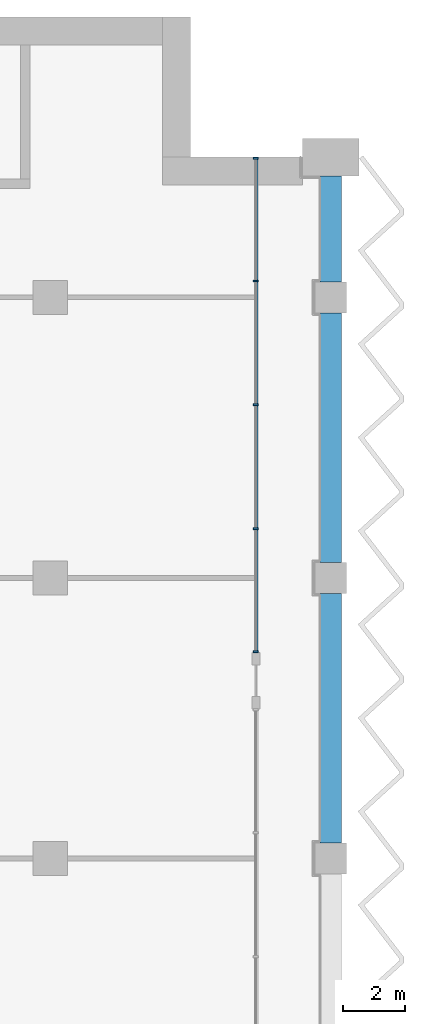
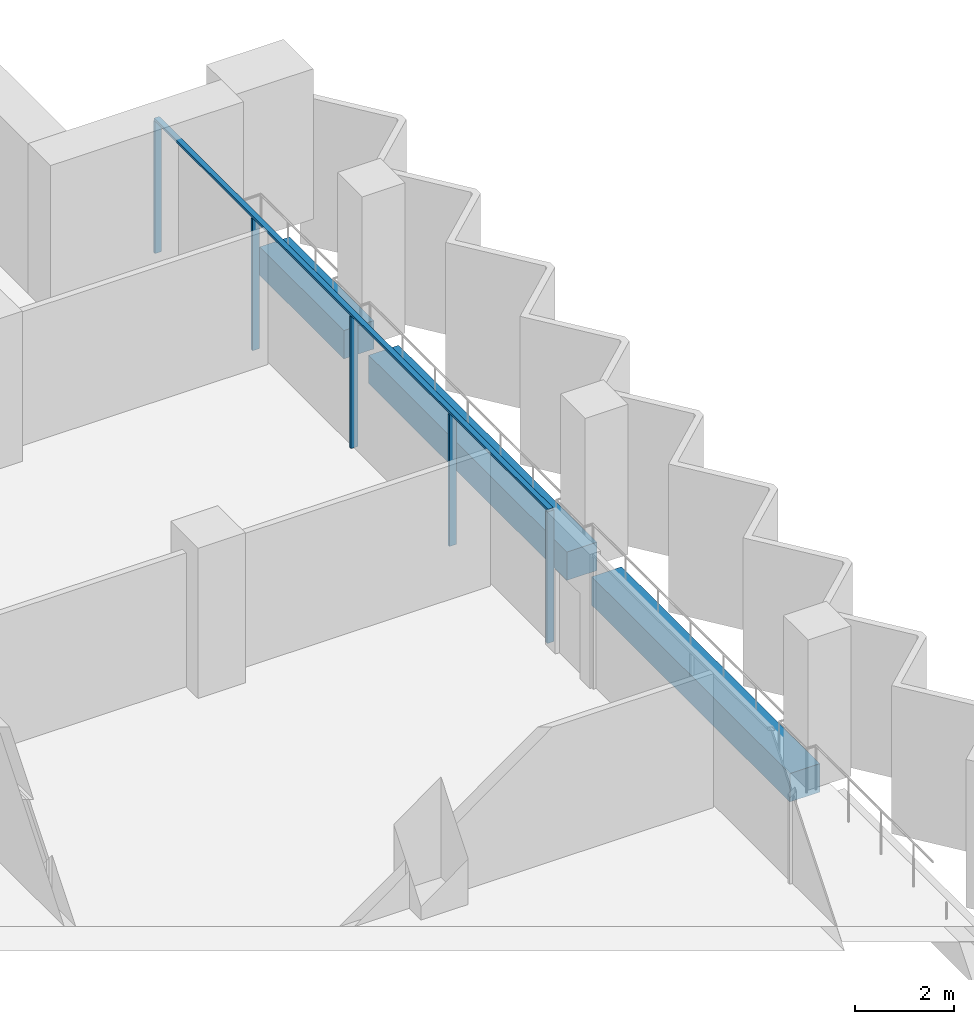
# One storey, part 5 of 17: 6 members, 3 beams, 1 element without a shape of its own.
"""IFC4 building model written with IfcOpenShell, lengths in metres."""

from ifc_helpers import new_model, si_unit, direction, frame, origin, origin_2d, place, context, subcontext, project, spatial, rectangle, extrude, material, material_profile, profile_set, type_object, element, aggregate, save


model = new_model("IFC4")

# Units and contexts
model_context = context("Model", 3, precision=1e-05, world=origin(), true_north=direction((0.0, 1.0)))
body_context = subcontext(model_context, "Body", "Model", "MODEL_VIEW")
ifc_project = project(units=[si_unit("LENGTHUNIT", "METRE"), si_unit("AREAUNIT", "SQUARE_METRE"), si_unit("VOLUMEUNIT", "CUBIC_METRE"), si_unit("PLANEANGLEUNIT", "RADIAN"), si_unit("MASSUNIT", "GRAM", prefix="KILO")], contexts=[model_context])

# Site, building, storey
site_placement = place(None, origin())
site = spatial("IfcSite", under=ifc_project, at=site_placement, CompositionType="ELEMENT")
building_placement = place(site_placement, origin())
building = spatial("IfcBuilding", under=site, at=building_placement, Name="Hunhe Ridgeline Campus", CompositionType="ELEMENT")
storey_placement = place(building_placement, frame((0.0, 0.0, 212.39990234375)))
storey = spatial("IfcBuildingStorey", under=building, at=storey_placement, Name="L54", CompositionType="ELEMENT", Elevation=212.39990234375)

# Curtain wall, members
ifc_material_1 = material(Name="Aluminium 6063", Category="aluminium")
curtain_wall_type = type_object("IfcCurtainWallType", Name="Curtain wall CW-1", PredefinedType="NOTDEFINED", material=ifc_material_1)
curtain_wall_placement = place(storey_placement, origin())
curtain_wall = element("IfcCurtainWall", 1, at=curtain_wall_placement, inside=storey, type_object=curtain_wall_type, Name="Curtain wall 14", PredefinedType="NOTDEFINED")
ifc_material_profile_1 = material_profile(ifc_material_1, rectangle(XDim=0.159912109375, YDim=0.06005859375, at=origin_2d()))
ifc_profile_set_1 = profile_set([ifc_material_profile_1], Name="Aluminium 6063")
member_type_1 = type_object("IfcMemberType", Name="CW-1 aluminium mullion", PredefinedType="MULLION", material=ifc_profile_set_1)
member_1_placement = place(storey_placement, frame((51.59912109375, 78.630615234375, 0.0), z_axis=(0.0, 0.0, 1.0), x_axis=(-1.0, 0.0, 0.0)))
member_1 = element("IfcMember", 2, at=member_1_placement, type_object=member_type_1, Name="CW-1 mullion 1", PredefinedType="MULLION", context=body_context, shape_type="SweptSolid", body=[
    extrude(rectangle(XDim=0.159912109375, YDim=0.06005859375, at=origin_2d()), origin(), (0.0, 0.0, 1.0), 3.239990234375),
])
member_2_placement = place(storey_placement, frame((51.59912109375, 82.575439453125, 0.0), z_axis=(0.0, 0.0, 1.0), x_axis=(-1.0, 0.0, 0.0)))
member_2 = element("IfcMember", 3, at=member_2_placement, type_object=member_type_1, Name="CW-1 mullion 2", PredefinedType="MULLION", context=body_context, shape_type="SweptSolid", body=[
    extrude(rectangle(XDim=0.159912109375, YDim=0.06005859375, at=origin_2d()), origin(), (0.0, 0.0, 1.0), 3.239990234375),
])
member_3_placement = place(storey_placement, frame((51.59912109375, 86.55029296875, 0.0), z_axis=(0.0, 0.0, 1.0), x_axis=(-1.0, 0.0, 0.0)))
member_3 = element("IfcMember", 4, at=member_3_placement, type_object=member_type_1, Name="CW-1 mullion 3", PredefinedType="MULLION", context=body_context, shape_type="SweptSolid", body=[
    extrude(rectangle(XDim=0.159912109375, YDim=0.06005859375, at=origin_2d()), origin(), (0.0, 0.0, 1.0), 3.239990234375),
])
member_4_placement = place(storey_placement, frame((51.59912109375, 90.525146484375, 0.0), z_axis=(0.0, 0.0, 1.0), x_axis=(-1.0, 0.0, 0.0)))
member_4 = element("IfcMember", 5, at=member_4_placement, type_object=member_type_1, Name="CW-1 mullion 4", PredefinedType="MULLION", context=body_context, shape_type="SweptSolid", body=[
    extrude(rectangle(XDim=0.159912109375, YDim=0.06005859375, at=origin_2d()), origin(), (0.0, 0.0, 1.0), 3.239990234375),
])
member_5_placement = place(storey_placement, frame((51.59912109375, 94.469970703125, 0.0), z_axis=(0.0, 0.0, 1.0), x_axis=(-1.0, 0.0, 0.0)))
member_5 = element("IfcMember", 6, at=member_5_placement, type_object=member_type_1, Name="CW-1 mullion 5", PredefinedType="MULLION", context=body_context, shape_type="SweptSolid", body=[
    extrude(rectangle(XDim=0.159912109375, YDim=0.06005859375, at=origin_2d()), origin(), (0.0, 0.0, 1.0), 3.239990234375),
])
ifc_material_profile_2 = material_profile(ifc_material_1, rectangle(XDim=0.1201171875, YDim=0.06005859375, at=origin_2d()))
ifc_profile_set_2 = profile_set([ifc_material_profile_2], Name="Aluminium 6063")
member_type_2 = type_object("IfcMemberType", Name="CW-1 aluminium transom", PredefinedType="USERDEFINED", material=ifc_profile_set_2)
member_6_placement = place(storey_placement, frame((51.59912109375, 78.6005859375, 3.27001953125), z_axis=(0.0, 1.0, 0.0), x_axis=(-1.0, 0.0, 0.0)))
member_6 = element("IfcMember", 7, at=member_6_placement, type_object=member_type_2, Name="CW-1 transom 1", ObjectType="TRANSOM", PredefinedType="USERDEFINED", context=body_context, shape_type="SweptSolid", body=[
    extrude(rectangle(XDim=0.1201171875, YDim=0.06005859375, at=origin_2d()), origin(), (0.0, 0.0, 1.0), 15.8994140625),
])
aggregate(curtain_wall, [member_6, member_1, member_2, member_3, member_4, member_5])

# Beams
ifc_material_2 = material(Name="Concrete C50", Category="concrete")
ifc_material_profile_3 = material_profile(ifc_material_2, rectangle(XDim=0.699951171875, YDim=0.699951171875, at=origin_2d()))
ifc_profile_set_3 = profile_set([ifc_material_profile_3], Name="Concrete C50")
beam_type = type_object("IfcBeamType", Name="RC spandrel beam 700x700 Concrete C50", PredefinedType="SPANDREL", material=ifc_profile_set_3)
for number, where, z_axis, x_axis, name in (
    (8, (54.0, 72.5, -0.599853515625), (0.0, 1.0, 0.0), (-1.0, 0.0, 0.0), "Spandrel beam B3-16 L54"),
    (9, (54.0, 81.5, -0.599853515625), (0.0, 1.0, 0.0), (-1.0, 0.0, 0.0), "Spandrel beam B3-17 L54"),
):
    element("IfcBeam", number, at=place(storey_placement, frame(where, z_axis=z_axis, x_axis=x_axis)), inside=storey, type_object=beam_type, Name=name, PredefinedType="SPANDREL", context=body_context, shape_type="SweptSolid", body=[
        extrude(rectangle(XDim=0.699951171875, YDim=0.699951171875, at=origin_2d()), origin(), (0.0, 0.0, 1.0), 8.0),
    ])
beam_placement = place(storey_placement, frame((54.0, 90.5, -0.599853515625), z_axis=(0.0, 1.0, 0.0), x_axis=(-1.0, 0.0, 0.0)))
element("IfcBeam", 10, at=beam_placement, inside=storey, type_object=beam_type, Name="Spandrel beam B3-18 L54", PredefinedType="SPANDREL", context=body_context, shape_type="SweptSolid", body=[
    extrude(rectangle(XDim=0.699951171875, YDim=0.699951171875, at=origin_2d()), origin(), (0.0, 0.0, 1.0), 3.39990234375),
])

save(model, "model.ifc")
